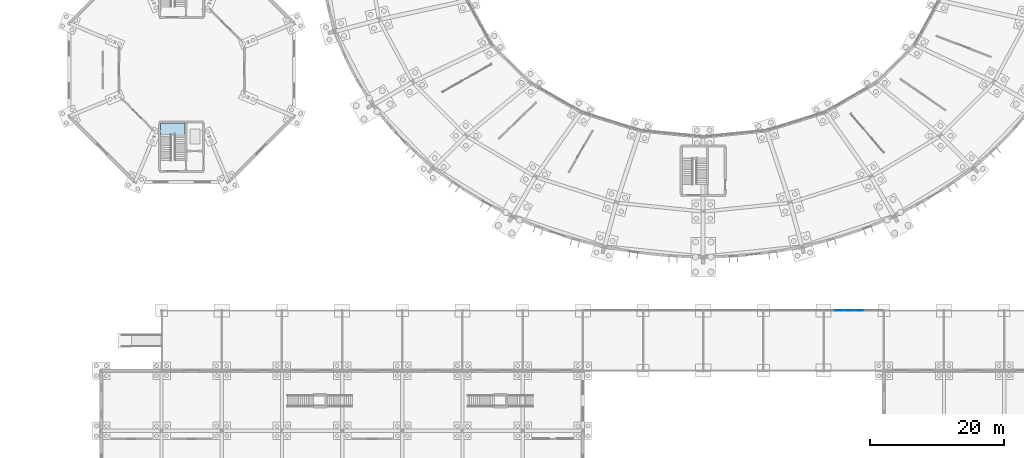
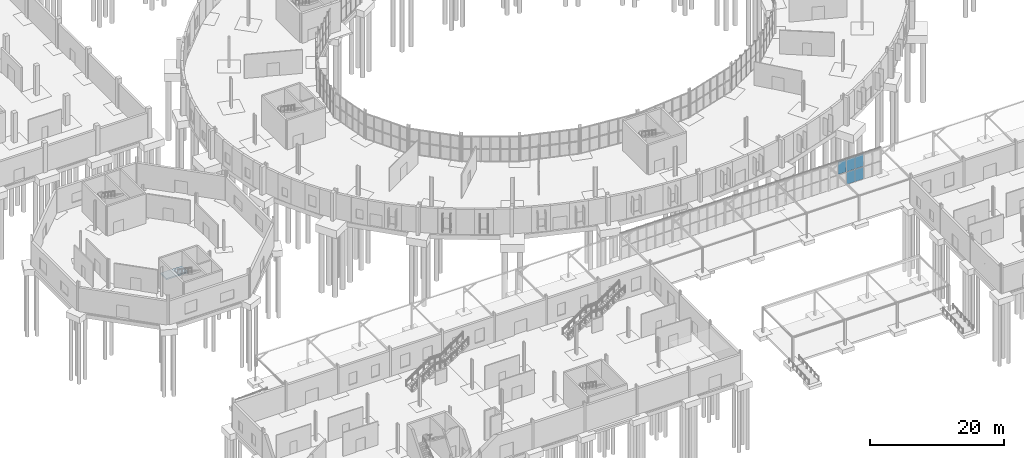
# One storey, part 70 of 118: 5 plates, 1 slab, 2 elements without a shape of their own.
"""IFC4 building model written with IfcOpenShell, lengths in metres."""

from ifc_helpers import new_model, si_unit, direction, frame, origin, origin_2d, place, context, subcontext, project, spatial, polyline, rectangle, outline, extrude, material, layer, layer_set, type_object, element, aggregate, save


model = new_model("IFC4")

# Units and contexts
model_context = context("Model", 3, precision=1e-05, world=origin(), true_north=direction((0.0, 1.0)))
body_context = subcontext(model_context, "Body", "Model", "MODEL_VIEW")
ifc_project = project(units=[si_unit("LENGTHUNIT", "METRE"), si_unit("AREAUNIT", "SQUARE_METRE"), si_unit("VOLUMEUNIT", "CUBIC_METRE"), si_unit("PLANEANGLEUNIT", "RADIAN"), si_unit("MASSUNIT", "GRAM", prefix="KILO")], contexts=[model_context])

# Site, building, storey
site_placement = place(None, origin())
site = spatial("IfcSite", under=ifc_project, at=site_placement, CompositionType="ELEMENT")
building_placement = place(site_placement, origin())
building = spatial("IfcBuilding", under=site, at=building_placement, Name="Kildeholm Park Wholesale Market", CompositionType="ELEMENT")
storey_placement = place(building_placement, origin())
storey = spatial("IfcBuildingStorey", under=building, at=storey_placement, Name="L00", CompositionType="ELEMENT", Elevation=0.0)

# Curtain wall, plates
ifc_material_1 = material(Name="Anodised aluminium and low-E double-glazed glass", Category="aluminium")
curtain_wall_type = type_object("IfcCurtainWallType", Name="Public passage glazed screen CW-04", PredefinedType="NOTDEFINED", material=ifc_material_1)
curtain_wall_placement = place(storey_placement, origin())
curtain_wall = element("IfcCurtainWall", 1, at=curtain_wall_placement, inside=storey, type_object=curtain_wall_type, Name="Curtain wall CW-V6-GC-05 CW-0163", PredefinedType="NOTDEFINED")
ifc_material_2 = material(Name="Double-glazed low-E insulated glass", Category="glass")
ifc_layer_1 = layer(ifc_material_2, 0.028076171875)
ifc_layer_set_1 = layer_set([ifc_layer_1], Name="Double-glazed low-E insulated glass")
plate_type = type_object("IfcPlateType", Name="Curtain-wall panel CWP-1 28 mm", PredefinedType="CURTAIN_PANEL", material=ifc_layer_set_1)
plate_1_placement = place(storey_placement, frame((119.27001953125, 36.0, 2.4052734375), z_axis=(0.0, 0.0, 1.0), x_axis=(1.0, 0.0, 0.0)))
plate_1 = element("IfcPlate", 2, at=plate_1_placement, type_object=plate_type, Name="CW-04 panel 2.2 PLT-2367", PredefinedType="CURTAIN_PANEL", context=body_context, shape_type="SweptSolid", body=[
    extrude(rectangle(XDim=1.4267578125, YDim=0.028076171875, at=origin_2d()), origin(), (0.0, 0.0, 1.0), 2.284912109375),
])
plate_2_placement = place(storey_placement, frame((120.756591796875, 36.0, 0.06005859375), z_axis=(0.0, 0.0, 1.0), x_axis=(1.0, 0.0, 0.0)))
plate_2 = element("IfcPlate", 3, at=plate_2_placement, type_object=plate_type, Name="CW-04 panel 3.1 PLT-2368", PredefinedType="CURTAIN_PANEL", context=body_context, shape_type="SweptSolid", body=[
    extrude(rectangle(XDim=1.4267578125, YDim=0.028076171875, at=origin_2d()), origin(), (0.0, 0.0, 1.0), 2.284912109375),
])
plate_3_placement = place(storey_placement, frame((120.756591796875, 36.0, 2.4052734375), z_axis=(0.0, 0.0, 1.0), x_axis=(1.0, 0.0, 0.0)))
plate_3 = element("IfcPlate", 4, at=plate_3_placement, type_object=plate_type, Name="CW-04 panel 3.2 PLT-2369", PredefinedType="CURTAIN_PANEL", context=body_context, shape_type="SweptSolid", body=[
    extrude(rectangle(XDim=1.4267578125, YDim=0.028076171875, at=origin_2d()), origin(), (0.0, 0.0, 1.0), 2.284912109375),
])
plate_4_placement = place(storey_placement, frame((122.243408203125, 36.0, 0.06005859375), z_axis=(0.0, 0.0, 1.0), x_axis=(1.0, 0.0, 0.0)))
plate_4 = element("IfcPlate", 5, at=plate_4_placement, type_object=plate_type, Name="CW-04 panel 4.1 PLT-2370", PredefinedType="CURTAIN_PANEL", context=body_context, shape_type="SweptSolid", body=[
    extrude(rectangle(XDim=1.4267578125, YDim=0.028076171875, at=origin_2d()), origin(), (0.0, 0.0, 1.0), 2.284912109375),
])
plate_5_placement = place(storey_placement, frame((122.243408203125, 36.0, 2.4052734375), z_axis=(0.0, 0.0, 1.0), x_axis=(1.0, 0.0, 0.0)))
plate_5 = element("IfcPlate", 6, at=plate_5_placement, type_object=plate_type, Name="CW-04 panel 4.2 PLT-2371", PredefinedType="CURTAIN_PANEL", context=body_context, shape_type="SweptSolid", body=[
    extrude(rectangle(XDim=1.4267578125, YDim=0.028076171875, at=origin_2d()), origin(), (0.0, 0.0, 1.0), 2.284912109375),
])
aggregate(curtain_wall, [plate_1, plate_2, plate_3, plate_4, plate_5])

# Stair, slab
ifc_material_3 = material(Name="Concrete C35/45", Category="concrete")
stair_type = type_object("IfcStairType", Name="Protected core escape stair ST-CR1", PredefinedType="HALF_TURN_STAIR", material=ifc_material_3)
stair_placement = place(storey_placement, origin())
stair = element("IfcStair", 7, at=stair_placement, inside=storey, type_object=stair_type, Name="Escape stair C14 L00 STR-0032", PredefinedType="HALF_TURN_STAIR")
ifc_layer_2 = layer(ifc_material_3, 0.239990234375)
ifc_layer_set_2 = layer_set([ifc_layer_2], Name="Concrete C35/45")
slab_type = type_object("IfcSlabType", Name="Stair landing slab S-LD1 240 mm", PredefinedType="LANDING", material=ifc_layer_set_2)
slab_placement = place(storey_placement, frame((0.0, 0.0, 2.4599609375)))
slab = element("IfcSlab", 8, at=slab_placement, type_object=slab_type, Name="ST-14-00 landing 1 SLB-0482", PredefinedType="LANDING", context=body_context, shape_type="SweptSolid", body=[
    extrude(outline(polyline([(17.85009765625, 62.300048828125), (21.530029296875, 62.320068359375), (21.530029296875, 64.050048828125), (17.85009765625, 64.050048828125), (17.85009765625, 62.300048828125)])), origin(), (0.0, 0.0, 1.0), 0.239990234375),
])
aggregate(stair, [slab])

save(model, "model.ifc")
